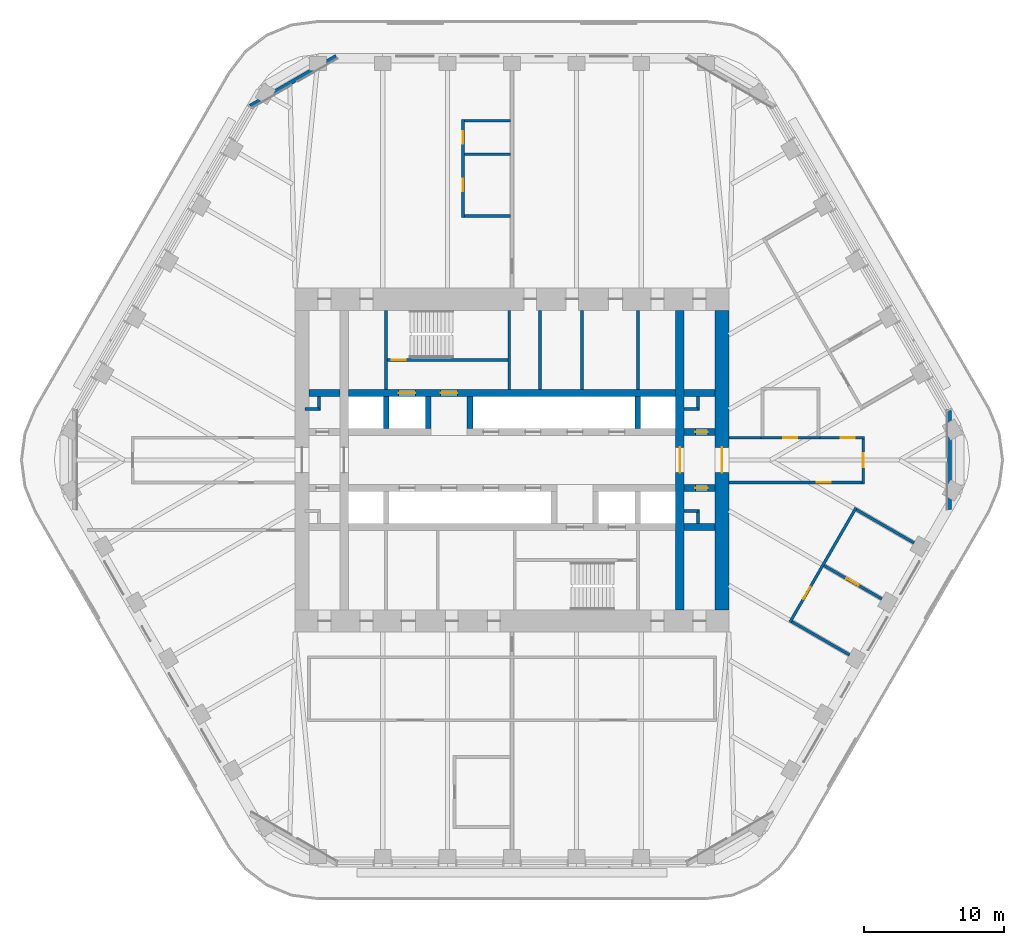
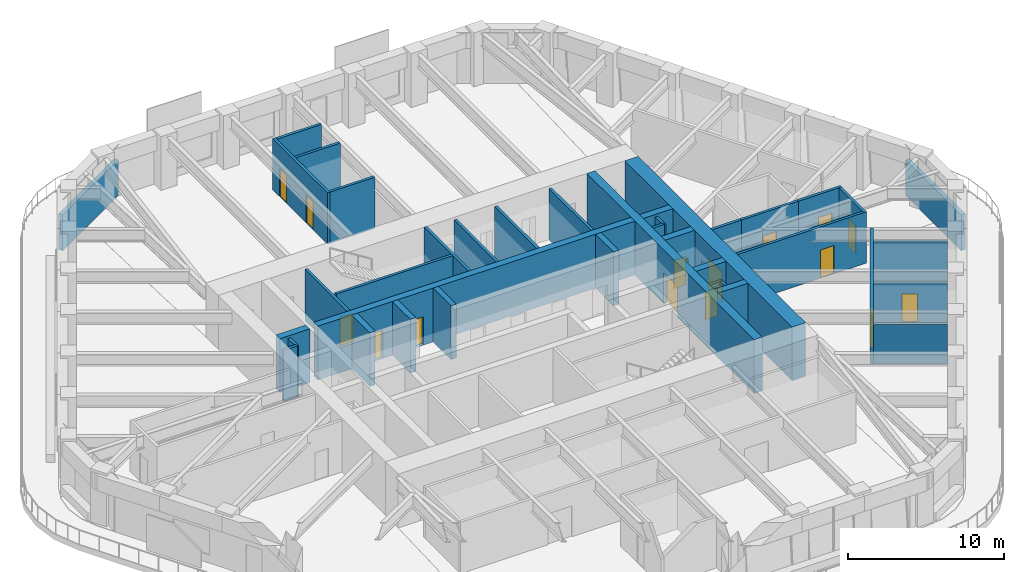
# One storey, part 16 of 20: 39 walls, 15 doors, 15 openings.
"""IFC4 building model written with IfcOpenShell, lengths in metres."""

import ifcopenshell
import ifcopenshell.guid

model = None  # the IFC model being written
_history = None  # IfcOwnerHistory: only IFC2X3 demands one
_inside = {}  # id of a spatial element -> (the spatial element, [elements in it])
_under = {}  # id of a project, library or spatial element -> (it, [spatial elements below it])
_declared = {}  # id of a project -> (the project, [libraries it declares])
_typed = {}  # id of a type object -> (the type object, [elements of that type])
_made_of = {}  # id of a material, layer set ... -> (it, [elements and type objects made of it])


def new_model(schema):
    """Start an empty IFC model of exactly this schema.

    Asked for "IFC4X3", IfcOpenShell would pick the latest addendum, in which some entities
    have other attributes; the version numbers below select the first issue.
    IFC2X3 requires an IfcOwnerHistory on every rooted entity: one is made here for all.
    """
    global model, _history
    if schema == "IFC4X3":
        model = ifcopenshell.file(schema_version=(4, 3, 0, 0))
    else:
        model = ifcopenshell.file(schema=schema)
    _inside.clear()
    _under.clear()
    _declared.clear()
    _typed.clear()
    _made_of.clear()
    _history = None
    if model.schema == "IFC2X3":
        org = make("IfcOrganization", Name="unknown")
        user = make(
            "IfcPersonAndOrganization",
            ThePerson=make("IfcPerson", FamilyName="unknown"),
            TheOrganization=org,
        )
        app = make(
            "IfcApplication",
            ApplicationDeveloper=org,
            Version="unknown",
            ApplicationFullName="unknown",
            ApplicationIdentifier="unknown",
        )
        _history = make(
            "IfcOwnerHistory",
            OwningUser=user,
            OwningApplication=app,
            ChangeAction="ADDED",
            CreationDate=0,
        )
    return model


def make(cls, **values):
    """One entity of the class cls with the attributes given. An attribute that is None is left unset."""
    return model.create_entity(
        cls, **{name: value for name, value in values.items() if value is not None}
    )


def rooted(cls, **values):
    """An entity with a GlobalId (a new one), such as an element, a storey or a relation."""
    return make(cls, GlobalId=ifcopenshell.guid.new(), OwnerHistory=_history, **values)


def si_unit(unit_type, name, prefix=None):
    """IfcSIUnit, for example si_unit("LENGTHUNIT", "METRE", prefix="MILLI")."""
    return make("IfcSIUnit", UnitType=unit_type, Prefix=prefix, Name=name)


def assignment(units):
    """IfcUnitAssignment: the units of a project."""
    return None if units is None else make("IfcUnitAssignment", Units=units)


def point(xyz):
    """IfcCartesianPoint."""
    return None if xyz is None else make("IfcCartesianPoint", Coordinates=xyz)


def direction(xyz):
    """IfcDirection."""
    return None if xyz is None else make("IfcDirection", DirectionRatios=xyz)


def frame(location, z_axis=None, x_axis=None):
    """IfcAxis2Placement3D, a coordinate frame: its origin and axes. An axis left out is left unset."""
    return make(
        "IfcAxis2Placement3D",
        Location=point(location),
        Axis=direction(z_axis),
        RefDirection=direction(x_axis),
    )


def frame_2d(location, x_axis=None):
    """IfcAxis2Placement2D, a coordinate frame in the plane: its origin and x axis."""
    return make(
        "IfcAxis2Placement2D", Location=point(location), RefDirection=direction(x_axis)
    )


def origin():
    """The frame at (0, 0, 0) with its axes left unset."""
    return frame((0.0, 0.0, 0.0))


def place(relative_to, where):
    """IfcLocalPlacement: puts the frame where relative to a parent placement (None: the world)."""
    return make(
        "IfcLocalPlacement", PlacementRelTo=relative_to, RelativePlacement=where
    )


def context(
    kind, dimensions, precision=None, world=None, true_north=None, identifier=None
):
    """IfcGeometricRepresentationContext, for example the 3D "Model" context."""
    return make(
        "IfcGeometricRepresentationContext",
        ContextIdentifier=identifier,
        ContextType=kind,
        CoordinateSpaceDimension=dimensions,
        Precision=precision,
        WorldCoordinateSystem=world,
        TrueNorth=true_north,
    )


def subcontext(parent, identifier, kind, view, scale=None):
    """IfcGeometricRepresentationSubContext, for example "Body" below "Model"."""
    return make(
        "IfcGeometricRepresentationSubContext",
        ContextIdentifier=identifier,
        ContextType=kind,
        ParentContext=parent,
        TargetScale=scale,
        TargetView=view,
    )


def project(units=None, contexts=None):
    """IfcProject with its units and contexts."""
    return rooted(
        "IfcProject",
        Name="project",
        RepresentationContexts=contexts,
        UnitsInContext=assignment(units),
    )


def spatial(cls, under=None, at=None, **own):
    """A site, building, storey or space (cls), placed at a placement, below another one or the project."""
    s = rooted(cls, ObjectPlacement=at, **own)
    if under is not None:
        _under.setdefault(under.id(), (under, []))[1].append(s)
    return s


def profile(cls, at=None, kind="AREA", **sizes):
    """A parametric profile (cls). Its sizes go by their IFC names, for example OverallWidth=200.0."""
    return make(cls, ProfileType=kind, Position=at, **sizes)


def rectangle(**sizes):
    """IfcRectangleProfileDef."""
    return profile("IfcRectangleProfileDef", **sizes)


def extrude(swept, where, along, depth):
    """IfcExtrudedAreaSolid: the profile swept, set in the frame where, extruded along a direction by depth."""
    return make(
        "IfcExtrudedAreaSolid",
        SweptArea=swept,
        Position=where,
        ExtrudedDirection=direction(along),
        Depth=depth,
    )


def shape(context_of_items, identifier, shape_type, items):
    """IfcShapeRepresentation: the items that make up one representation, for example the "Body"."""
    return make(
        "IfcShapeRepresentation",
        ContextOfItems=context_of_items,
        RepresentationIdentifier=identifier,
        RepresentationType=shape_type,
        Items=items,
    )


def material(Name=None, Category=None):
    """IfcMaterial."""
    return make("IfcMaterial", Name=Name, Category=Category)


def layer(
    of_material, thickness, ventilated=None, Name=None, Category=None, Priority=None
):
    """IfcMaterialLayer: one layer of a wall or slab, of a material (None: an air gap)."""
    return make(
        "IfcMaterialLayer",
        Material=of_material,
        LayerThickness=thickness,
        IsVentilated=ventilated,
        Name=Name,
        Category=Category,
        Priority=Priority,
    )


def layer_set(layers, Name=None):
    """IfcMaterialLayerSet."""
    return make("IfcMaterialLayerSet", MaterialLayers=layers, LayerSetName=Name)


def made_of(thing, what):
    """Note that an element or type object is made of a material, layer set ...; save() writes the relation."""
    if what is not None:
        _made_of.setdefault(what.id(), (what, []))[1].append(thing)
    return thing


def type_object(cls, material=None, **own):
    """A type object (cls), such as IfcWallType, which elements share."""
    return made_of(rooted(cls, **own), material)


def element(
    cls,
    number,
    at=None,
    inside=None,
    cuts=None,
    type_object=None,
    material=None,
    context=None,
    identifier="Body",
    shape_type=None,
    held_by="IfcProductDefinitionShape",
    body=None,
    shapes=None,
    **own,
):
    """One element of the class cls, such as IfcWall. Its Tag is "e" and its number.

    at: its placement. inside: the storey or other place that contains it. cuts: it is an
    opening in that element (IfcRelVoidsElement). A single representation is given by context,
    identifier, shape_type and body (its items); several are given by shapes. held_by: the class
    of the entity that holds the representations. save() writes the other relations.
    """
    e = rooted(cls, Tag="e%d" % number, ObjectPlacement=at, **own)
    if body is not None:
        shapes = [shape(context, identifier, shape_type, body)]
    if shapes is not None:
        e.Representation = make(held_by, Representations=shapes)
    if inside is not None:
        _inside.setdefault(inside.id(), (inside, []))[1].append(e)
    if cuts is not None:
        rooted(
            "IfcRelVoidsElement", RelatingBuildingElement=cuts, RelatedOpeningElement=e
        )
    if type_object is not None:
        _typed.setdefault(type_object.id(), (type_object, []))[1].append(e)
    return made_of(e, material)


def fill(opening, filler):
    """IfcRelFillsElement: the door or window that sits in an opening."""
    return rooted(
        "IfcRelFillsElement",
        RelatingOpeningElement=opening,
        RelatedBuildingElement=filler,
    )


def aggregate(whole, parts):
    """IfcRelAggregates: a whole, such as a stair, and the parts it consists of."""
    return rooted("IfcRelAggregates", RelatingObject=whole, RelatedObjects=parts)


def save(model, path):
    """Write the relations noted so far, then the file.

    IfcRelAggregates (storeys below a building ...), IfcRelContainedInSpatialStructure (elements
    in a storey), IfcRelDefinesByType, IfcRelAssociatesMaterial and IfcRelDeclares: one each for
    every whole, place, type object, material and project.
    """
    for whole, parts in _under.values():
        aggregate(whole, parts)
    for where, things in _inside.values():
        rooted(
            "IfcRelContainedInSpatialStructure",
            RelatedElements=things,
            RelatingStructure=where,
        )
    for kind, things in _typed.values():
        rooted("IfcRelDefinesByType", RelatedObjects=things, RelatingType=kind)
    for what, things in _made_of.values():
        rooted("IfcRelAssociatesMaterial", RelatedObjects=things, RelatingMaterial=what)
    for by, libraries in _declared.values():
        rooted("IfcRelDeclares", RelatingContext=by, RelatedDefinitions=libraries)
    model.write(path)


model = new_model("IFC4")

# Units and contexts
model_context = context("Model", 3, precision=1e-05, world=origin(), true_north=direction((0.0, 1.0)))
body_context = subcontext(model_context, "Body", "Model", "MODEL_VIEW")
ifc_project = project(units=[si_unit("LENGTHUNIT", "METRE"), si_unit("AREAUNIT", "SQUARE_METRE"), si_unit("VOLUMEUNIT", "CUBIC_METRE"), si_unit("PLANEANGLEUNIT", "RADIAN"), si_unit("MASSUNIT", "GRAM", prefix="KILO")], contexts=[model_context])

# Site, building, storey
site_placement = place(None, origin())
site = spatial("IfcSite", under=ifc_project, at=site_placement, CompositionType="ELEMENT")
building_placement = place(site_placement, origin())
building = spatial("IfcBuilding", under=site, at=building_placement, Name="Tarfa Lantern Tower", CompositionType="ELEMENT")
storey_placement = place(building_placement, frame((0.0, 0.0, 265.89990234375)))
storey = spatial("IfcBuildingStorey", under=building, at=storey_placement, Name="L60", CompositionType="ELEMENT", Elevation=265.89990234375)

# Walls
ifc_material_1 = material(Name="Limestone cladding on blockwork", Category="masonry")
ifc_layer_1 = layer(ifc_material_1, 0.300048828125)
ifc_layer_set_1 = layer_set([ifc_layer_1], Name="EW1 STONE-CLAD WALL 300")
wall_type_1 = type_object("IfcWallType", Name="EW1 STONE-CLAD WALL 300", PredefinedType="SOLIDWALL", material=ifc_layer_set_1)
wall_1_placement = place(storey_placement, frame((-12.556396484375, 28.85009765625, 0.0), z_axis=(0.0, 0.0, 1.0), x_axis=(-0.866010973379, -0.500024993363, 0.0)))
element("IfcWall", 1, at=wall_1_placement, inside=storey, type_object=wall_type_1, Name="Garden wall N-NW", PredefinedType="SOLIDWALL", context=body_context, shape_type="SweptSolid", body=[
    extrude(rectangle(XDim=7.101806640625, YDim=0.300048828125, at=frame_2d((3.55078125, 0.0))), origin(), (0.0, 0.0, 1.0), 2.800048828125),
])
wall_2_placement = place(storey_placement, frame((31.262939453125, -3.55078125, 0.0), z_axis=(0.0, 0.0, 1.0), x_axis=(0.0, 1.0, 0.0)))
element("IfcWall", 2, at=wall_2_placement, inside=storey, type_object=wall_type_1, Name="Garden wall SE-NE", PredefinedType="SOLIDWALL", context=body_context, shape_type="SweptSolid", body=[
    extrude(rectangle(XDim=7.1015625, YDim=0.300048828125, at=frame_2d((3.55078125, 0.0))), origin(), (0.0, 0.0, 1.0), 2.800048828125),
])
ifc_material_2 = material(Name="Concrete blockwork", Category="masonry")
ifc_layer_2 = layer(ifc_material_2, 0.199951171875)
ifc_layer_set_2 = layer_set([ifc_layer_2], Name="IW1 BLOCKWORK PARTITION 200 EI 120")
wall_type_2 = type_object("IfcWallType", Name="IW1 BLOCKWORK PARTITION 200 EI 120", PredefinedType="PARTITIONING", material=ifc_layer_set_2)
for number, where, z_axis, x_axis, name in (
    (3, (-9.0, 5.050048828125, 0.0), (0.0, 0.0, 1.0), (0.0, 1.0, 0.0), "Core partition"),
    (4, (9.0, 5.050048828125, 0.0), (0.0, 0.0, 1.0), (0.0, 1.0, 0.0), "Core partition"),
    (5, (2.0, 5.050048828125, 0.0), (0.0, 0.0, 1.0), (0.0, 1.0, 0.0), "Core partition"),
    (6, (5.0, 5.050048828125, 0.0), (0.0, 0.0, 1.0), (0.0, 1.0, 0.0), "Core partition"),
):
    element("IfcWall", number, at=place(storey_placement, frame(where, z_axis=z_axis, x_axis=x_axis)), inside=storey, type_object=wall_type_2, Name=name, PredefinedType="PARTITIONING", context=body_context, shape_type="SweptSolid", body=[
        extrude(rectangle(XDim=5.64990234375, YDim=0.199951171875, at=frame_2d((2.824951171875, 0.0))), origin(), (0.0, 0.0, 1.0), 4.0),
    ])
for number, where, z_axis, x_axis, name in (
    (7, (-14.800048828125, 3.64990234375, 0.0), (0.0, 0.0, 1.0), (1.0, 0.0, 0.0), "Core partition"),
    (8, (-13.800048828125, 3.550048828125, 0.0), (0.0, 0.0, 1.0), (0.0, 1.0, 0.0), "Core partition"),
    (9, (12.300048828125, 3.64990234375, 0.0), (0.0, 0.0, 1.0), (1.0, 0.0, 0.0), "Core partition"),
    (10, (13.300048828125, 3.550048828125, 0.0), (0.0, 0.0, 1.0), (0.0, 1.0, 0.0), "Core partition"),
    (11, (13.300048828125, -3.64990234375, 0.0), (0.0, 0.0, 1.0), (-1.0, 0.0, 0.0), "Core partition"),
    (12, (13.300048828125, -3.550048828125, 0.0), (0.0, 0.0, 1.0), (0.0, -1.0, 0.0), "Core partition"),
):
    element("IfcWall", number, at=place(storey_placement, frame(where, z_axis=z_axis, x_axis=x_axis)), inside=storey, type_object=wall_type_2, Name=name, PredefinedType="PARTITIONING", context=body_context, shape_type="SweptSolid", body=[
        extrude(rectangle(XDim=1.0, YDim=0.199951171875, at=frame_2d((0.5, 0.0))), origin(), (0.0, 0.0, 1.0), 4.0),
    ])

# Wall, opening, door
ifc_material_3 = material(Name="Gypsum board on steel studs", Category="steel")
ifc_layer_3 = layer(ifc_material_3, 0.2099609375)
ifc_layer_set_3 = layer_set([ifc_layer_3], Name="IW2 ACOUSTIC PARTITION 200")
wall_type_3 = type_object("IfcWallType", Name="IW2 ACOUSTIC PARTITION 200", PredefinedType="PARTITIONING", material=ifc_layer_set_3)
wall_3_placement = place(storey_placement, frame((19.86865234375, -11.586669921875, 0.0), z_axis=(0.0, 0.0, 1.0), x_axis=(0.499989672313, 0.866031366395, 0.0)))
wall_3 = element("IfcWall", 13, at=wall_3_placement, inside=storey, type_object=wall_type_3, Name="Partition", PredefinedType="PARTITIONING", context=body_context, shape_type="SweptSolid", body=[
    extrude(rectangle(XDim=9.437744140625, YDim=0.199951171875, at=frame_2d((4.71875, 0.0))), origin(), (0.0, 0.0, 1.0), 4.0),
])
opening_1_placement = place(wall_3_placement, frame((1.909423828125, 0.0, 0.0)))
opening_1 = element("IfcOpeningElement", 14, at=opening_1_placement, cuts=wall_3, Name="Opening D30", PredefinedType="OPENING", context=body_context, shape_type="SweptSolid", body=[
    extrude(rectangle(XDim=1.0, YDim=2.199951171875, at=frame_2d((0.5, 1.10009765625))), frame((0.0, 0.10986328125, 0.0), z_axis=(0.0, -1.0, 0.0), x_axis=(1.0, 0.0, 0.0)), (0.0, 0.0, 1.0), 0.219970703125),
])
ifc_material_4 = material(Name="Timber door", Category="wood")
door_type_1 = type_object("IfcDoorType", Name="DR1 ROOM DOOR 1000x2200", OperationType="SINGLE_SWING_LEFT", PredefinedType="DOOR", material=ifc_material_4)
door_1_placement = place(opening_1_placement, frame((1.0, 0.0, 0.0), z_axis=(0.0, 0.0, 1.0), x_axis=(-1.0, 0.0, 0.0)))
door_1 = element("IfcDoor", 15, at=door_1_placement, inside=storey, type_object=door_type_1, Name="Client reception door", OperationType="SINGLE_SWING_LEFT", OverallHeight=2.199951171875, OverallWidth=1.0, PredefinedType="DOOR", context=body_context, shape_type="SweptSolid", body=[
    extrude(rectangle(XDim=1.0, YDim=2.199951171875, at=frame_2d((0.5, 1.10009765625))), frame((0.0, 0.02490234375, 0.0), z_axis=(0.0, -1.0, 0.0), x_axis=(1.0, 0.0, 0.0)), (0.0, 0.0, 1.0), 0.050048828125),
])
fill(opening_1, door_1)

# Wall
wall_4_placement = place(storey_placement, frame((20.005126953125, -11.550048828125, 0.0), z_axis=(0.0, 0.0, 1.0), x_axis=(0.866033238375, -0.499986429846, 0.0)))
element("IfcWall", 16, at=wall_4_placement, inside=storey, type_object=wall_type_3, Name="Partition", PredefinedType="PARTITIONING", context=body_context, shape_type="SweptSolid", body=[
    extrude(rectangle(XDim=4.750244140625, YDim=0.199951171875, at=frame_2d((2.375, 0.0))), origin(), (0.0, 0.0, 1.0), 3.081787109375),
])

# Wall, opening, door
wall_5_placement = place(storey_placement, frame((22.314697265625, -7.550048828125, 0.0), z_axis=(0.0, 0.0, 1.0), x_axis=(0.866020389056, -0.500008685663, 0.0)))
wall_5 = element("IfcWall", 17, at=wall_5_placement, inside=storey, type_object=wall_type_3, Name="Partition", PredefinedType="PARTITIONING", context=body_context, shape_type="SweptSolid", body=[
    extrude(rectangle(XDim=4.75, YDim=0.199951171875, at=frame_2d((2.375, 0.0))), origin(), (0.0, 0.0, 1.0), 3.081787109375),
])
opening_2_placement = place(wall_5_placement, frame((1.824951171875, 0.0, 0.0)))
opening_2 = element("IfcOpeningElement", 18, at=opening_2_placement, cuts=wall_5, Name="Opening D31", PredefinedType="OPENING", context=body_context, shape_type="SweptSolid", body=[
    extrude(rectangle(XDim=1.0, YDim=2.199951171875, at=frame_2d((0.5, 1.10009765625))), frame((0.0, 0.10986328125, 0.0), z_axis=(0.0, -1.0, 0.0), x_axis=(1.0, 0.0, 0.0)), (0.0, 0.0, 1.0), 0.219970703125),
])
door_2_placement = place(opening_2_placement, origin())
door_2 = element("IfcDoor", 19, at=door_2_placement, inside=storey, type_object=door_type_1, Name="Client meeting room door", OperationType="SINGLE_SWING_RIGHT", OverallHeight=2.199951171875, OverallWidth=1.0, PredefinedType="DOOR", context=body_context, shape_type="SweptSolid", body=[
    extrude(rectangle(XDim=1.0, YDim=2.199951171875, at=frame_2d((0.5, 1.10009765625))), frame((0.0, 0.02490234375, 0.0), z_axis=(0.0, -1.0, 0.0), x_axis=(1.0, 0.0, 0.0)), (0.0, 0.0, 1.0), 0.050048828125),
])
fill(opening_2, door_2)

# Wall
wall_6_placement = place(storey_placement, frame((24.6240234375, -3.550048828125, 0.0), z_axis=(0.0, 0.0, 1.0), x_axis=(0.866020389056, -0.500008685663, 0.0)))
element("IfcWall", 20, at=wall_6_placement, inside=storey, type_object=wall_type_3, Name="Partition", PredefinedType="PARTITIONING", context=body_context, shape_type="SweptSolid", body=[
    extrude(rectangle(XDim=4.75, YDim=0.199951171875, at=frame_2d((2.375, 0.0))), origin(), (0.0, 0.0, 1.0), 3.081787109375),
])

# Wall, opening, door
wall_7_placement = place(storey_placement, frame((17.800048828125, 1.60009765625, 0.0), z_axis=(0.0, 0.0, 1.0), x_axis=(1.0, 0.0, 0.0)))
wall_7 = element("IfcWall", 21, at=wall_7_placement, inside=storey, type_object=wall_type_3, Name="Partition", PredefinedType="PARTITIONING", context=body_context, shape_type="SweptSolid", body=[
    extrude(rectangle(XDim=4.199951171875, YDim=0.199951171875, at=frame_2d((2.10009765625, 0.0))), origin(), (0.0, 0.0, 1.0), 4.0),
])
opening_3_placement = place(wall_7_placement, frame((1.60009765625, 0.0, 0.0)))
opening_3 = element("IfcOpeningElement", 22, at=opening_3_placement, cuts=wall_7, Name="Opening D27", PredefinedType="OPENING", context=body_context, shape_type="SweptSolid", body=[
    extrude(rectangle(XDim=1.0, YDim=2.199951171875, at=frame_2d((0.5, 1.10009765625))), frame((0.0, 0.10986328125, 0.0), z_axis=(0.0, -1.0, 0.0), x_axis=(1.0, 0.0, 0.0)), (0.0, 0.0, 1.0), 0.219970703125),
])
door_3_placement = place(opening_3_placement, origin())
door_3 = element("IfcDoor", 23, at=door_3_placement, inside=storey, type_object=door_type_1, Name="Pantry door", OperationType="SINGLE_SWING_LEFT", OverallHeight=2.199951171875, OverallWidth=1.0, PredefinedType="DOOR", context=body_context, shape_type="SweptSolid", body=[
    extrude(rectangle(XDim=1.0, YDim=2.199951171875, at=frame_2d((0.5, 1.10009765625))), frame((0.0, 0.02490234375, 0.0), z_axis=(0.0, -1.0, 0.0), x_axis=(1.0, 0.0, 0.0)), (0.0, 0.0, 1.0), 0.050048828125),
])
fill(opening_3, door_3)

# Wall
wall_8_placement = place(storey_placement, frame((15.5, 1.60009765625, 0.0), z_axis=(0.0, 0.0, 1.0), x_axis=(1.0, 0.0, 0.0)))
element("IfcWall", 24, at=wall_8_placement, inside=storey, type_object=wall_type_3, Name="Partition", PredefinedType="PARTITIONING", context=body_context, shape_type="SweptSolid", body=[
    extrude(rectangle(XDim=2.300048828125, YDim=0.199951171875, at=frame_2d((1.14990234375, 0.0))), origin(), (0.0, 0.0, 1.0), 4.0),
])

# Wall, opening, door
wall_9_placement = place(storey_placement, frame((22.0, 1.60009765625, 0.0), z_axis=(0.0, 0.0, 1.0), x_axis=(1.0, 0.0, 0.0)))
wall_9 = element("IfcWall", 25, at=wall_9_placement, inside=storey, type_object=wall_type_3, Name="Partition", PredefinedType="PARTITIONING", context=body_context, shape_type="SweptSolid", body=[
    extrude(rectangle(XDim=3.199951171875, YDim=0.199951171875, at=frame_2d((1.60009765625, 0.0))), origin(), (0.0, 0.0, 1.0), 4.0),
])
opening_4_placement = place(wall_9_placement, frame((1.5, 0.0, 0.0)))
opening_4 = element("IfcOpeningElement", 26, at=opening_4_placement, cuts=wall_9, Name="Opening D38", PredefinedType="OPENING", context=body_context, shape_type="SweptSolid", body=[
    extrude(rectangle(XDim=1.0, YDim=2.199951171875, at=frame_2d((0.5, 1.10009765625))), frame((0.0, 0.10986328125, 0.0), z_axis=(0.0, -1.0, 0.0), x_axis=(1.0, 0.0, 0.0)), (0.0, 0.0, 1.0), 0.219970703125),
])
door_4_placement = place(opening_4_placement, origin())
door_4 = element("IfcDoor", 27, at=door_4_placement, inside=storey, type_object=door_type_1, Name="Corridor door", OperationType="SINGLE_SWING_RIGHT", OverallHeight=2.199951171875, OverallWidth=1.0, PredefinedType="DOOR", context=body_context, shape_type="SweptSolid", body=[
    extrude(rectangle(XDim=1.0, YDim=2.199951171875, at=frame_2d((0.5, 1.10009765625))), frame((0.0, 0.02490234375, 0.0), z_axis=(0.0, -1.0, 0.0), x_axis=(1.0, 0.0, 0.0)), (0.0, 0.0, 1.0), 0.050048828125),
])
fill(opening_4, door_4)

wall_10_placement = place(storey_placement, frame((15.5, -1.60009765625, 0.0), z_axis=(0.0, 0.0, 1.0), x_axis=(1.0, 0.0, 0.0)))
wall_10 = element("IfcWall", 28, at=wall_10_placement, inside=storey, type_object=wall_type_3, Name="Partition", PredefinedType="PARTITIONING", context=body_context, shape_type="SweptSolid", body=[
    extrude(rectangle(XDim=9.699951171875, YDim=0.199951171875, at=frame_2d((4.85009765625, 0.0))), origin(), (0.0, 0.0, 1.0), 4.0),
])
opening_5_placement = place(wall_10_placement, frame((6.2900390625, 0.0, 0.0)))
opening_5 = element("IfcOpeningElement", 29, at=opening_5_placement, cuts=wall_10, Name="Opening D39", PredefinedType="OPENING", context=body_context, shape_type="SweptSolid", body=[
    extrude(rectangle(XDim=1.0, YDim=2.199951171875, at=frame_2d((0.5, 1.10009765625))), frame((0.0, 0.10986328125, 0.0), z_axis=(0.0, -1.0, 0.0), x_axis=(1.0, 0.0, 0.0)), (0.0, 0.0, 1.0), 0.219970703125),
])
door_5_placement = place(opening_5_placement, frame((1.0, 0.0, 0.0), z_axis=(0.0, 0.0, 1.0), x_axis=(-1.0, 0.0, 0.0)))
door_5 = element("IfcDoor", 30, at=door_5_placement, inside=storey, type_object=door_type_1, Name="Corridor door", OperationType="SINGLE_SWING_RIGHT", OverallHeight=2.199951171875, OverallWidth=1.0, PredefinedType="DOOR", context=body_context, shape_type="SweptSolid", body=[
    extrude(rectangle(XDim=1.0, YDim=2.199951171875, at=frame_2d((0.5, 1.10009765625))), frame((0.0, 0.02490234375, 0.0), z_axis=(0.0, -1.0, 0.0), x_axis=(1.0, 0.0, 0.0)), (0.0, 0.0, 1.0), 0.050048828125),
])
fill(opening_5, door_5)

wall_11_placement = place(storey_placement, frame((25.10009765625, -1.699951171875, 0.0), z_axis=(0.0, 0.0, 1.0), x_axis=(0.0, 1.0, 0.0)))
wall_11 = element("IfcWall", 31, at=wall_11_placement, inside=storey, type_object=wall_type_3, Name="Partition", PredefinedType="PARTITIONING", context=body_context, shape_type="SweptSolid", body=[
    extrude(rectangle(XDim=3.39990234375, YDim=0.199951171875, at=frame_2d((1.699951171875, 0.0))), origin(), (0.0, 0.0, 1.0), 4.0),
])
opening_6_placement = place(wall_11_placement, frame((1.199951171875, 0.0, 0.0)))
opening_6 = element("IfcOpeningElement", 32, at=opening_6_placement, cuts=wall_11, Name="Opening D37", PredefinedType="OPENING", context=body_context, shape_type="SweptSolid", body=[
    extrude(rectangle(XDim=1.0, YDim=2.199951171875, at=frame_2d((0.5, 1.10009765625))), frame((0.0, 0.10986328125, 0.0), z_axis=(0.0, -1.0, 0.0), x_axis=(1.0, 0.0, 0.0)), (0.0, 0.0, 1.0), 0.219970703125),
])
door_6_placement = place(opening_6_placement, frame((1.0, 0.0, 0.0), z_axis=(0.0, 0.0, 1.0), x_axis=(-1.0, 0.0, 0.0)))
door_6 = element("IfcDoor", 33, at=door_6_placement, inside=storey, type_object=door_type_1, Name="Corridor door", OperationType="SINGLE_SWING_LEFT", OverallHeight=2.199951171875, OverallWidth=1.0, PredefinedType="DOOR", context=body_context, shape_type="SweptSolid", body=[
    extrude(rectangle(XDim=1.0, YDim=2.199951171875, at=frame_2d((0.5, 1.10009765625))), frame((0.0, 0.02490234375, 0.0), z_axis=(0.0, -1.0, 0.0), x_axis=(1.0, 0.0, 0.0)), (0.0, 0.0, 1.0), 0.050048828125),
])
fill(opening_6, door_6)

# Wall, openings, doors
wall_12_placement = place(storey_placement, frame((-3.5, 17.3525390625, 0.0), z_axis=(0.0, 0.0, 1.0), x_axis=(0.0, 1.0, 0.0)))
wall_12 = element("IfcWall", 34, at=wall_12_placement, inside=storey, type_object=wall_type_3, Name="Partition", PredefinedType="PARTITIONING", context=body_context, shape_type="SweptSolid", body=[
    extrude(rectangle(XDim=7.0, YDim=0.199951171875, at=frame_2d((3.5, 0.0))), origin(), (0.0, 0.0, 1.0), 4.0),
])
opening_7_placement = place(wall_12_placement, frame((1.85009765625, 0.0, 0.0)))
opening_7 = element("IfcOpeningElement", 35, at=opening_7_placement, cuts=wall_12, Name="Opening D34", PredefinedType="OPENING", context=body_context, shape_type="SweptSolid", body=[
    extrude(rectangle(XDim=0.89990234375, YDim=2.199951171875, at=frame_2d((0.449951171875, 1.10009765625))), frame((0.0, 0.10986328125, 0.0), z_axis=(0.0, -1.0, 0.0), x_axis=(1.0, 0.0, 0.0)), (0.0, 0.0, 1.0), 0.219970703125),
])
opening_8_placement = place(wall_12_placement, frame((5.25, 0.0, 0.0)))
opening_8 = element("IfcOpeningElement", 36, at=opening_8_placement, cuts=wall_12, Name="Opening D35", PredefinedType="OPENING", context=body_context, shape_type="SweptSolid", body=[
    extrude(rectangle(XDim=0.89990234375, YDim=2.199951171875, at=frame_2d((0.449951171875, 1.10009765625))), frame((0.0, 0.10986328125, 0.0), z_axis=(0.0, -1.0, 0.0), x_axis=(1.0, 0.0, 0.0)), (0.0, 0.0, 1.0), 0.219970703125),
])
door_type_2 = type_object("IfcDoorType", Name="DR3 ROOM DOOR 900x2200", OperationType="SINGLE_SWING_LEFT", PredefinedType="DOOR", material=ifc_material_4)
door_7_placement = place(opening_7_placement, frame((0.89990234375, 0.0, 0.0), z_axis=(0.0, 0.0, 1.0), x_axis=(-1.0, 0.0, 0.0)))
door_7 = element("IfcDoor", 37, at=door_7_placement, inside=storey, type_object=door_type_2, Name="Project room door", OperationType="SINGLE_SWING_LEFT", OverallHeight=2.199951171875, OverallWidth=0.89990234375, PredefinedType="DOOR", context=body_context, shape_type="SweptSolid", body=[
    extrude(rectangle(XDim=0.89990234375, YDim=2.199951171875, at=frame_2d((0.449951171875, 1.10009765625))), frame((0.0, 0.02490234375, 0.0), z_axis=(0.0, -1.0, 0.0), x_axis=(1.0, 0.0, 0.0)), (0.0, 0.0, 1.0), 0.050048828125),
])
fill(opening_7, door_7)
door_8_placement = place(opening_8_placement, frame((0.89990234375, 0.0, 0.0), z_axis=(0.0, 0.0, 1.0), x_axis=(-1.0, 0.0, 0.0)))
door_8 = element("IfcDoor", 38, at=door_8_placement, inside=storey, type_object=door_type_2, Name="Print and copy room door", OperationType="SINGLE_SWING_RIGHT", OverallHeight=2.199951171875, OverallWidth=0.89990234375, PredefinedType="DOOR", context=body_context, shape_type="SweptSolid", body=[
    extrude(rectangle(XDim=0.89990234375, YDim=2.199951171875, at=frame_2d((0.449951171875, 1.10009765625))), frame((0.0, 0.02490234375, 0.0), z_axis=(0.0, -1.0, 0.0), x_axis=(1.0, 0.0, 0.0)), (0.0, 0.0, 1.0), 0.050048828125),
])
fill(opening_8, door_8)

# Walls
for number, where, z_axis, x_axis, name in (
    (39, (-0.10009765625, 17.452392578125, 0.0), (0.0, 0.0, 1.0), (-1.0, 0.0, 0.0), "Partition"),
    (40, (-0.10009765625, 21.8525390625, 0.0), (0.0, 0.0, 1.0), (-1.0, 0.0, 0.0), "Partition"),
    (41, (-0.10009765625, 24.25244140625, 0.0), (0.0, 0.0, 1.0), (-1.0, 0.0, 0.0), "Partition"),
):
    element("IfcWall", number, at=place(storey_placement, frame(where, z_axis=z_axis, x_axis=x_axis)), inside=storey, type_object=wall_type_3, Name=name, PredefinedType="PARTITIONING", context=body_context, shape_type="SweptSolid", body=[
        extrude(rectangle(XDim=3.2998046875, YDim=0.199951171875, at=frame_2d((1.64990234375, 0.0))), origin(), (0.0, 0.0, 1.0), 4.0),
    ])
ifc_material_5 = material(Name="Concrete C80/95", Category="concrete")
ifc_layer_4 = layer(ifc_material_5, 0.199951171875)
ifc_layer_set_4 = layer_set([ifc_layer_4], Name="SW12 CORE WALL 200")
wall_type_4 = type_object("IfcWallType", Name="SW12 CORE WALL 200", PredefinedType="SHEAR", material=ifc_layer_set_4)
wall_13_placement = place(storey_placement, frame((-0.199951171875, 5.050048828125, 0.0), z_axis=(0.0, 0.0, 1.0), x_axis=(0.0, 1.0, 0.0)))
element("IfcWall", 42, at=wall_13_placement, inside=storey, type_object=wall_type_4, Name="Core wall stair shaft N", PredefinedType="SHEAR", context=body_context, shape_type="SweptSolid", body=[
    extrude(rectangle(XDim=5.64990234375, YDim=0.199951171875, at=frame_2d((2.824951171875, 0.0))), origin(), (0.0, 0.0, 1.0), 4.2001953125),
])

# Wall, opening, door
wall_14_placement = place(storey_placement, frame((-8.89990234375, 7.14990234375, 0.0), z_axis=(0.0, 0.0, 1.0), x_axis=(1.0, 0.0, 0.0)))
wall_14 = element("IfcWall", 43, at=wall_14_placement, inside=storey, type_object=wall_type_4, Name="Core wall stair partition N", PredefinedType="SHEAR", context=body_context, shape_type="SweptSolid", body=[
    extrude(rectangle(XDim=8.599853515625, YDim=0.199951171875, at=frame_2d((4.2998046875, 0.0))), origin(), (0.0, 0.0, 1.0), 4.2001953125),
])
opening_9_placement = place(wall_14_placement, frame((0.300048828125, 0.0, 0.0)))
opening_9 = element("IfcOpeningElement", 44, at=opening_9_placement, cuts=wall_14, Name="Opening D23", PredefinedType="OPENING", context=body_context, shape_type="SweptSolid", body=[
    extrude(rectangle(XDim=1.0, YDim=2.199951171875, at=frame_2d((0.5, 1.10009765625))), frame((0.0, 0.10986328125, 0.0), z_axis=(0.0, -1.0, 0.0), x_axis=(1.0, 0.0, 0.0)), (0.0, 0.0, 1.0), 0.219970703125),
])
ifc_material_6 = material(Name="Steel fire door", Category="steel")
door_type_3 = type_object("IfcDoorType", Name="DF2 STAIR DOOR 1000x2200", OperationType="SINGLE_SWING_LEFT", PredefinedType="DOOR", material=ifc_material_6)
door_9_placement = place(opening_9_placement, origin())
door_9 = element("IfcDoor", 45, at=door_9_placement, inside=storey, type_object=door_type_3, Name="Stair door", OperationType="SINGLE_SWING_RIGHT", OverallHeight=2.199951171875, OverallWidth=1.0, PredefinedType="DOOR", context=body_context, shape_type="SweptSolid", body=[
    extrude(rectangle(XDim=1.0, YDim=2.199951171875, at=frame_2d((0.5, 1.10009765625))), frame((0.0, 0.02490234375, 0.0), z_axis=(0.0, -1.0, 0.0), x_axis=(1.0, 0.0, 0.0)), (0.0, 0.0, 1.0), 0.050048828125),
])
fill(opening_9, door_9)

ifc_layer_5 = layer(ifc_material_5, 1.0)
ifc_layer_set_5 = layer_set([ifc_layer_5], Name="SW2 CORE WALL 1000")
wall_type_5 = type_object("IfcWallType", Name="SW2 CORE WALL 1000", PredefinedType="SHEAR", material=ifc_layer_set_5)
wall_15_placement = place(storey_placement, frame((15.0, -10.699951171875, 0.0), z_axis=(0.0, 0.0, 1.0), x_axis=(0.0, 1.0, 0.0)))
wall_15 = element("IfcWall", 46, at=wall_15_placement, inside=storey, type_object=wall_type_5, Name="Core wall E", PredefinedType="SHEAR", context=body_context, shape_type="SweptSolid", body=[
    extrude(rectangle(XDim=21.39990234375, YDim=1.0, at=frame_2d((10.699951171875, 0.0))), origin(), (0.0, 0.0, 1.0), 4.2001953125),
])
opening_10_placement = place(wall_15_placement, frame((9.800048828125, 0.0, 0.0)))
opening_10 = element("IfcOpeningElement", 47, at=opening_10_placement, cuts=wall_15, Name="Opening D11", PredefinedType="OPENING", context=body_context, shape_type="SweptSolid", body=[
    extrude(rectangle(XDim=1.800048828125, YDim=2.39990234375, at=frame_2d((0.89990234375, 1.199951171875))), frame((0.0, 0.510009765625, 0.0), z_axis=(0.0, -1.0, 0.0), x_axis=(1.0, 0.0, 0.0)), (0.0, 0.0, 1.0), 1.02001953125),
])
door_type_4 = type_object("IfcDoorType", Name="DL1 LOBBY DOOR 1800x2400", OperationType="DOUBLE_DOOR_SINGLE_SWING", PredefinedType="DOOR", material=ifc_material_6)
door_10_placement = place(opening_10_placement, frame((1.800048828125, 0.0, 0.0), z_axis=(0.0, 0.0, 1.0), x_axis=(-1.0, 0.0, 0.0)))
door_10 = element("IfcDoor", 48, at=door_10_placement, inside=storey, type_object=door_type_4, Name="Lift lobby door", OperationType="DOUBLE_DOOR_SINGLE_SWING", OverallHeight=2.39990234375, OverallWidth=1.800048828125, PredefinedType="DOOR", context=body_context, shape_type="SweptSolid", body=[
    extrude(rectangle(XDim=1.800048828125, YDim=2.39990234375, at=frame_2d((0.89990234375, 1.199951171875))), frame((0.0, 0.02490234375, 0.0), z_axis=(0.0, -1.0, 0.0), x_axis=(1.0, 0.0, 0.0)), (0.0, 0.0, 1.0), 0.050048828125),
])
fill(opening_10, door_10)

ifc_layer_6 = layer(ifc_material_5, 0.5)
ifc_layer_set_6 = layer_set([ifc_layer_6], Name="SW5 CORE WALL 500")
wall_type_6 = type_object("IfcWallType", Name="SW5 CORE WALL 500", PredefinedType="SHEAR", material=ifc_layer_set_6)
wall_16_placement = place(storey_placement, frame((12.300048828125, 2.0, 0.0), z_axis=(0.0, 0.0, 1.0), x_axis=(1.0, 0.0, 0.0)))
wall_16 = element("IfcWall", 49, at=wall_16_placement, inside=storey, type_object=wall_type_6, Name="Core wall lobby east N", PredefinedType="SHEAR", context=body_context, shape_type="SweptSolid", body=[
    extrude(rectangle(XDim=2.199951171875, YDim=0.5, at=frame_2d((1.10009765625, 0.0))), origin(), (0.0, 0.0, 1.0), 4.2001953125),
])
opening_11_placement = place(wall_16_placement, frame((0.800048828125, 0.0, 0.0)))
opening_11 = element("IfcOpeningElement", 50, at=opening_11_placement, cuts=wall_16, Name="Opening D13", PredefinedType="OPENING", context=body_context, shape_type="SweptSolid", body=[
    extrude(rectangle(XDim=0.89990234375, YDim=2.199951171875, at=frame_2d((0.449951171875, 1.10009765625))), frame((0.0, 0.260009765625, 0.0), z_axis=(0.0, -1.0, 0.0), x_axis=(1.0, 0.0, 0.0)), (0.0, 0.0, 1.0), 0.52001953125),
])
door_type_5 = type_object("IfcDoorType", Name="DF6 SERVICE ROOM DOOR 900x2200", OperationType="SINGLE_SWING_LEFT", PredefinedType="DOOR", material=ifc_material_6)
door_11_placement = place(opening_11_placement, origin())
door_11 = element("IfcDoor", 51, at=door_11_placement, inside=storey, type_object=door_type_5, Name="Service room door", OperationType="SINGLE_SWING_LEFT", OverallHeight=2.199951171875, OverallWidth=0.89990234375, PredefinedType="DOOR", context=body_context, shape_type="SweptSolid", body=[
    extrude(rectangle(XDim=0.89990234375, YDim=2.199951171875, at=frame_2d((0.449951171875, 1.10009765625))), frame((0.0, 0.02490234375, 0.0), z_axis=(0.0, -1.0, 0.0), x_axis=(1.0, 0.0, 0.0)), (0.0, 0.0, 1.0), 0.050048828125),
])
fill(opening_11, door_11)

# Wall
wall_17_placement = place(storey_placement, frame((-14.5, 4.800048828125, 0.0), z_axis=(0.0, 0.0, 1.0), x_axis=(1.0, 0.0, 0.0)))
element("IfcWall", 52, at=wall_17_placement, inside=storey, type_object=wall_type_6, Name="Core wall rear N", PredefinedType="SHEAR", context=body_context, shape_type="SweptSolid", body=[
    extrude(rectangle(XDim=2.199951171875, YDim=0.5, at=frame_2d((1.10009765625, 0.0))), origin(), (0.0, 0.0, 1.0), 4.2001953125),
])

# Wall, openings, doors
wall_18_placement = place(storey_placement, frame((-11.699951171875, 4.800048828125, 0.0), z_axis=(0.0, 0.0, 1.0), x_axis=(1.0, 0.0, 0.0)))
wall_18 = element("IfcWall", 53, at=wall_18_placement, inside=storey, type_object=wall_type_6, Name="Core wall rear N", PredefinedType="SHEAR", context=body_context, shape_type="SweptSolid", body=[
    extrude(rectangle(XDim=23.39990234375, YDim=0.5, at=frame_2d((11.699951171875, 0.0))), origin(), (0.0, 0.0, 1.0), 4.2001953125),
])
opening_12_placement = place(wall_18_placement, frame((6.60009765625, 0.0, 0.0)))
opening_12 = element("IfcOpeningElement", 54, at=opening_12_placement, cuts=wall_18, Name="Opening D09", PredefinedType="OPENING", context=body_context, shape_type="SweptSolid", body=[
    extrude(rectangle(XDim=1.199951171875, YDim=2.199951171875, at=frame_2d((0.60009765625, 1.10009765625))), frame((0.0, 0.260009765625, 0.0), z_axis=(0.0, -1.0, 0.0), x_axis=(1.0, 0.0, 0.0)), (0.0, 0.0, 1.0), 0.52001953125),
])
opening_13_placement = place(wall_18_placement, frame((3.60009765625, 0.0, 0.0)))
opening_13 = element("IfcOpeningElement", 55, at=opening_13_placement, cuts=wall_18, Name="Opening LD01", PredefinedType="OPENING", context=body_context, shape_type="SweptSolid", body=[
    extrude(rectangle(XDim=1.199951171875, YDim=2.199951171875, at=frame_2d((0.60009765625, 1.10009765625))), frame((0.0, 0.260009765625, 0.0), z_axis=(0.0, -1.0, 0.0), x_axis=(1.0, 0.0, 0.0)), (0.0, 0.0, 1.0), 0.52001953125),
])
door_type_6 = type_object("IfcDoorType", Name="DF1 FIREFIGHTING LOBBY DOOR 1200x2200", OperationType="SINGLE_SWING_LEFT", PredefinedType="DOOR", material=ifc_material_6)
door_12_placement = place(opening_12_placement, origin())
door_12 = element("IfcDoor", 56, at=door_12_placement, inside=storey, type_object=door_type_6, Name="Firefighting lobby door", OperationType="SINGLE_SWING_LEFT", OverallHeight=2.199951171875, OverallWidth=1.199951171875, PredefinedType="DOOR", context=body_context, shape_type="SweptSolid", body=[
    extrude(rectangle(XDim=1.199951171875, YDim=2.199951171875, at=frame_2d((0.60009765625, 1.10009765625))), frame((0.0, 0.02490234375, 0.0), z_axis=(0.0, -1.0, 0.0), x_axis=(1.0, 0.0, 0.0)), (0.0, 0.0, 1.0), 0.050048828125),
])
fill(opening_12, door_12)
ifc_material_7 = material(Name="Stainless steel lift door", Category="steel")
door_type_7 = type_object("IfcDoorType", Name="LD1 LIFT LANDING DOOR 1200x2200", OperationType="SLIDING_TO_LEFT", PredefinedType="DOOR", material=ifc_material_7)
door_13_placement = place(opening_13_placement, origin())
door_13 = element("IfcDoor", 57, at=door_13_placement, inside=storey, type_object=door_type_7, Name="Landing door FL1", OperationType="SLIDING_TO_LEFT", OverallHeight=2.199951171875, OverallWidth=1.199951171875, PredefinedType="DOOR", context=body_context, shape_type="SweptSolid", body=[
    extrude(rectangle(XDim=1.199951171875, YDim=2.199951171875, at=frame_2d((0.60009765625, 1.10009765625))), frame((0.0, 0.02490234375, 0.0), z_axis=(0.0, -1.0, 0.0), x_axis=(1.0, 0.0, 0.0)), (0.0, 0.0, 1.0), 0.050048828125),
])
fill(opening_13, door_13)

# Wall
wall_19_placement = place(storey_placement, frame((12.300048828125, 4.800048828125, 0.0), z_axis=(0.0, 0.0, 1.0), x_axis=(1.0, 0.0, 0.0)))
element("IfcWall", 58, at=wall_19_placement, inside=storey, type_object=wall_type_6, Name="Core wall rear N", PredefinedType="SHEAR", context=body_context, shape_type="SweptSolid", body=[
    extrude(rectangle(XDim=2.199951171875, YDim=0.5, at=frame_2d((1.10009765625, 0.0))), origin(), (0.0, 0.0, 1.0), 4.2001953125),
])

# Wall, opening, door
wall_20_placement = place(storey_placement, frame((14.5, -2.0, 0.0), z_axis=(0.0, 0.0, 1.0), x_axis=(-1.0, 0.0, 0.0)))
wall_20 = element("IfcWall", 59, at=wall_20_placement, inside=storey, type_object=wall_type_6, Name="Core wall lobby west S", PredefinedType="SHEAR", context=body_context, shape_type="SweptSolid", body=[
    extrude(rectangle(XDim=2.199951171875, YDim=0.5, at=frame_2d((1.10009765625, 0.0))), origin(), (0.0, 0.0, 1.0), 4.2001953125),
])
opening_14_placement = place(wall_20_placement, frame((0.5, 0.0, 0.0)))
opening_14 = element("IfcOpeningElement", 60, at=opening_14_placement, cuts=wall_20, Name="Opening D16", PredefinedType="OPENING", context=body_context, shape_type="SweptSolid", body=[
    extrude(rectangle(XDim=0.89990234375, YDim=2.199951171875, at=frame_2d((0.449951171875, 1.10009765625))), frame((0.0, 0.260009765625, 0.0), z_axis=(0.0, -1.0, 0.0), x_axis=(1.0, 0.0, 0.0)), (0.0, 0.0, 1.0), 0.52001953125),
])
door_14_placement = place(opening_14_placement, origin())
door_14 = element("IfcDoor", 61, at=door_14_placement, inside=storey, type_object=door_type_5, Name="Service room door", OperationType="SINGLE_SWING_RIGHT", OverallHeight=2.199951171875, OverallWidth=0.89990234375, PredefinedType="DOOR", context=body_context, shape_type="SweptSolid", body=[
    extrude(rectangle(XDim=0.89990234375, YDim=2.199951171875, at=frame_2d((0.449951171875, 1.10009765625))), frame((0.0, 0.02490234375, 0.0), z_axis=(0.0, -1.0, 0.0), x_axis=(1.0, 0.0, 0.0)), (0.0, 0.0, 1.0), 0.050048828125),
])
fill(opening_14, door_14)

# Walls
wall_21_placement = place(storey_placement, frame((14.5, -4.800048828125, 0.0), z_axis=(0.0, 0.0, 1.0), x_axis=(-1.0, 0.0, 0.0)))
element("IfcWall", 62, at=wall_21_placement, inside=storey, type_object=wall_type_6, Name="Core wall rear S", PredefinedType="SHEAR", context=body_context, shape_type="SweptSolid", body=[
    extrude(rectangle(XDim=2.199951171875, YDim=0.5, at=frame_2d((1.10009765625, 0.0))), origin(), (0.0, 0.0, 1.0), 4.2001953125),
])
ifc_layer_7 = layer(ifc_material_5, 0.39990234375)
ifc_layer_set_7 = layer_set([ifc_layer_7], Name="SW6 CORE WALL 400")
wall_type_7 = type_object("IfcWallType", Name="SW6 CORE WALL 400", PredefinedType="SHEAR", material=ifc_layer_set_7)
for number, where, z_axis, x_axis, name in (
    (63, (-9.0, 2.25, 0.0), (0.0, 0.0, 1.0), (0.0, 1.0, 0.0), "Core wall divider N"),
    (64, (-6.0, 2.25, 0.0), (0.0, 0.0, 1.0), (0.0, 1.0, 0.0), "Core wall divider N"),
    (65, (-3.0, 2.25, 0.0), (0.0, 0.0, 1.0), (0.0, 1.0, 0.0), "Core wall divider N"),
    (66, (9.0, 2.25, 0.0), (0.0, 0.0, 1.0), (0.0, 1.0, 0.0), "Core wall divider N"),
):
    element("IfcWall", number, at=place(storey_placement, frame(where, z_axis=z_axis, x_axis=x_axis)), inside=storey, type_object=wall_type_7, Name=name, PredefinedType="SHEAR", context=body_context, shape_type="SweptSolid", body=[
        extrude(rectangle(XDim=2.300048828125, YDim=0.39990234375, at=frame_2d((1.14990234375, 0.0))), origin(), (0.0, 0.0, 1.0), 4.2001953125),
    ])

# Wall, opening, door
ifc_layer_8 = layer(ifc_material_5, 0.60009765625)
ifc_layer_set_8 = layer_set([ifc_layer_8], Name="SW9 CORE WALL 600")
wall_type_8 = type_object("IfcWallType", Name="SW9 CORE WALL 600", PredefinedType="SHEAR", material=ifc_layer_set_8)
wall_22_placement = place(storey_placement, frame((12.0, -10.699951171875, 0.0), z_axis=(0.0, 0.0, 1.0), x_axis=(0.0, 1.0, 0.0)))
wall_22 = element("IfcWall", 67, at=wall_22_placement, inside=storey, type_object=wall_type_8, Name="Core wall cross 12 m east", PredefinedType="SHEAR", context=body_context, shape_type="SweptSolid", body=[
    extrude(rectangle(XDim=21.39990234375, YDim=0.60009765625, at=frame_2d((10.699951171875, 0.0))), origin(), (0.0, 0.0, 1.0), 4.2001953125),
])
opening_15_placement = place(wall_22_placement, frame((9.800048828125, 0.0, 0.0)))
opening_15 = element("IfcOpeningElement", 68, at=opening_15_placement, cuts=wall_22, Name="Opening D25", PredefinedType="OPENING", context=body_context, shape_type="SweptSolid", body=[
    extrude(rectangle(XDim=1.800048828125, YDim=2.39990234375, at=frame_2d((0.89990234375, 1.199951171875))), frame((0.0, 0.31005859375, 0.0), z_axis=(0.0, -1.0, 0.0), x_axis=(1.0, 0.0, 0.0)), (0.0, 0.0, 1.0), 0.6201171875),
])
door_15_placement = place(opening_15_placement, origin())
door_15 = element("IfcDoor", 69, at=door_15_placement, inside=storey, type_object=door_type_4, Name="Lift lobby door", OperationType="DOUBLE_DOOR_SINGLE_SWING", OverallHeight=2.39990234375, OverallWidth=1.800048828125, PredefinedType="DOOR", context=body_context, shape_type="SweptSolid", body=[
    extrude(rectangle(XDim=1.800048828125, YDim=2.39990234375, at=frame_2d((0.89990234375, 1.199951171875))), frame((0.0, 0.02490234375, 0.0), z_axis=(0.0, -1.0, 0.0), x_axis=(1.0, 0.0, 0.0)), (0.0, 0.0, 1.0), 0.050048828125),
])
fill(opening_15, door_15)

save(model, "model.ifc")
